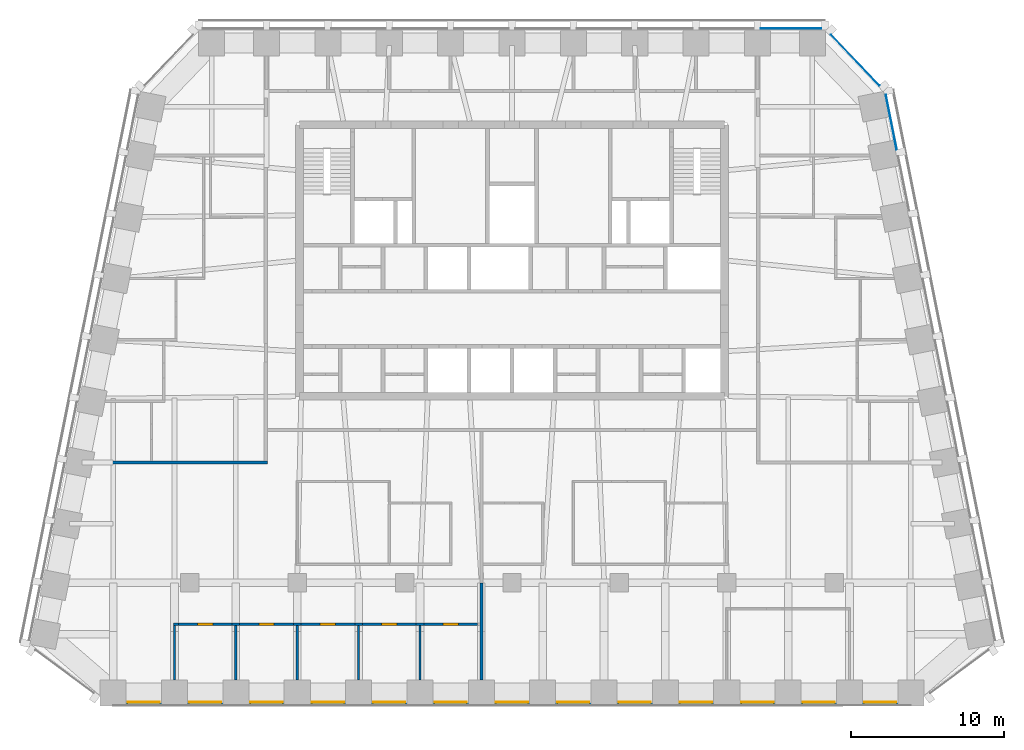
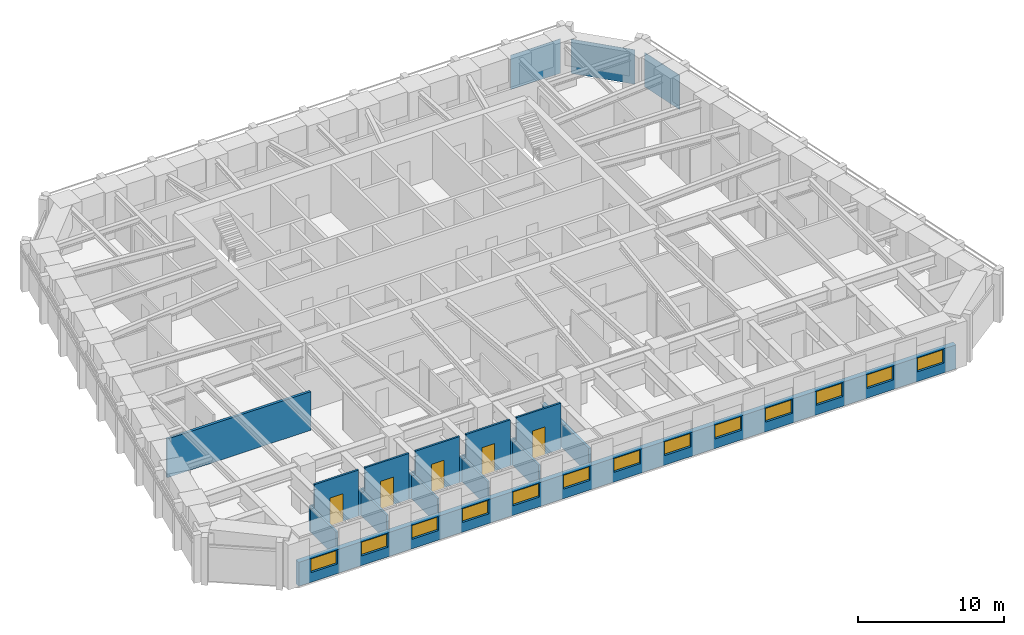
# One storey, part 5 of 11: 18 walls, 13 windows, 5 doors, 3 plates, 18 openings, 3 elements without a shape of their own.
"""IFC4 building model written with IfcOpenShell, lengths in metres."""

from ifc_helpers import new_model, si_unit, direction, frame, frame_2d, origin, origin_2d, place, context, subcontext, project, spatial, rectangle, extrude, material, layer, layer_set, type_object, element, fill, aggregate, save


model = new_model("IFC4")

# Units and contexts
model_context = context("Model", 3, precision=1e-05, world=origin(), true_north=direction((0.0, 1.0)))
body_context = subcontext(model_context, "Body", "Model", "MODEL_VIEW")
ifc_project = project(units=[si_unit("LENGTHUNIT", "METRE"), si_unit("AREAUNIT", "SQUARE_METRE"), si_unit("VOLUMEUNIT", "CUBIC_METRE"), si_unit("PLANEANGLEUNIT", "RADIAN"), si_unit("MASSUNIT", "GRAM", prefix="KILO")], contexts=[model_context])

# Site, building, storey
site_placement = place(None, origin())
site = spatial("IfcSite", under=ifc_project, at=site_placement, CompositionType="ELEMENT")
building_placement = place(site_placement, origin())
building = spatial("IfcBuilding", under=site, at=building_placement, Name="Isbrekke Arena Tower", CompositionType="ELEMENT")
storey_placement = place(building_placement, frame((0.0, 0.0, 268.0)))
storey = spatial("IfcBuildingStorey", under=building, at=storey_placement, Name="L62", CompositionType="ELEMENT", Elevation=268.0)

# Curtain wall, plate
ifc_material_1 = material(Name="Glazed aluminium curtain wall", Category="aluminium")
curtain_wall_type = type_object("IfcCurtainWallType", Name="CWT TOWER CURTAIN WALL TOP ZONE", PredefinedType="USERDEFINED", material=ifc_material_1)
curtain_wall_1_placement = place(storey_placement, origin())
curtain_wall_1 = element("IfcCurtainWall", 1, at=curtain_wall_1_placement, inside=storey, type_object=curtain_wall_type, Name="CWT curtain wall L62-E", ObjectType="TOWER CURTAIN WALL TOP ZONE", PredefinedType="USERDEFINED")
ifc_material_2 = material(Name="Triple-glazed clear glass unit", Category="glass")
ifc_layer_1 = layer(ifc_material_2, 0.031982421875)
ifc_layer_set_1 = layer_set([ifc_layer_1], Name="CWT-P VISION PANEL")
plate_type = type_object("IfcPlateType", Name="CWT-P VISION PANEL", PredefinedType="CURTAIN_PANEL", material=ifc_layer_set_1)
plate_1_placement = place(storey_placement, frame((24.72265625, 24.0244140625, 0.02001953125), z_axis=(0.0, 0.0, 1.0), x_axis=(-0.196116135138, 0.980580675691, 0.0)))
plate_1 = element("IfcPlate", 2, at=plate_1_placement, type_object=plate_type, Name="CWT-P panel 9", PredefinedType="CURTAIN_PANEL", context=body_context, shape_type="SweptSolid", body=[
    extrude(rectangle(XDim=3.629150390625, YDim=0.031982421875, at=origin_2d()), origin(), (0.0, 0.0, 1.0), 2.8798828125),
])
aggregate(curtain_wall_1, [plate_1])

curtain_wall_2_placement = place(storey_placement, origin())
curtain_wall_2 = element("IfcCurtainWall", 3, at=curtain_wall_2_placement, inside=storey, type_object=curtain_wall_type, Name="CWT curtain wall L62-EN", ObjectType="TOWER CURTAIN WALL TOP ZONE", PredefinedType="USERDEFINED")
plate_2_placement = place(storey_placement, frame((22.374755859375, 28.06640625, 0.02001953125), z_axis=(0.0, 0.0, 1.0), x_axis=(-0.68874946192, 0.72499943359, 0.0)))
plate_2 = element("IfcPlate", 4, at=plate_2_placement, type_object=plate_type, Name="CWT-P panel 1", PredefinedType="CURTAIN_PANEL", context=body_context, shape_type="SweptSolid", body=[
    extrude(rectangle(XDim=4.558349609375, YDim=0.031982421875, at=origin_2d()), origin(), (0.0, 0.0, 1.0), 2.8798828125),
])
aggregate(curtain_wall_2, [plate_2])

curtain_wall_3_placement = place(storey_placement, origin())
curtain_wall_3 = element("IfcCurtainWall", 5, at=curtain_wall_3_placement, inside=storey, type_object=curtain_wall_type, Name="CWT curtain wall L62-N", ObjectType="TOWER CURTAIN WALL TOP ZONE", PredefinedType="USERDEFINED")
plate_3_placement = place(storey_placement, frame((18.199951171875, 30.125, 0.02001953125), z_axis=(0.0, 0.0, 1.0), x_axis=(-1.0, 0.0, 0.0)))
plate_3 = element("IfcPlate", 6, at=plate_3_placement, type_object=plate_type, Name="CWT-P panel 1", PredefinedType="CURTAIN_PANEL", context=body_context, shape_type="SweptSolid", body=[
    extrude(rectangle(XDim=3.949951171875, YDim=0.031982421875, at=origin_2d()), origin(), (0.0, 0.0, 1.0), 2.8798828125),
])
aggregate(curtain_wall_3, [plate_3])

# Wall, openings, windows
ifc_material_3 = material(Name="Copper cladding on insulated framing", Category="metal")
ifc_layer_2 = layer(ifc_material_3, 0.39990234375)
ifc_layer_set_2 = layer_set([ifc_layer_2], Name="EW2 COPPER-CLAD WALL 400")
wall_type_1 = type_object("IfcWallType", Name="EW2 COPPER-CLAD WALL 400", PredefinedType="SOLIDWALL", material=ifc_layer_set_2)
wall_1_placement = place(storey_placement, frame((-26.0, -13.800048828125, 0.0), z_axis=(0.0, 0.0, 1.0), x_axis=(1.0, 0.0, 0.0)))
wall_1 = element("IfcWall", 7, at=wall_1_placement, inside=storey, type_object=wall_type_1, Name="EW2 terrace wall L62", PredefinedType="SOLIDWALL", context=body_context, shape_type="SweptSolid", body=[
    extrude(rectangle(XDim=52.0, YDim=0.39990234375, at=frame_2d((26.0, 0.0))), origin(), (0.0, 0.0, 1.0), 2.0),
])
opening_1_placement = place(wall_1_placement, frame((0.949951171875, 0.0, 0.800048828125)))
opening_1 = element("IfcOpeningElement", 8, at=opening_1_placement, cuts=wall_1, Name="Opening WN1", PredefinedType="OPENING", context=body_context, shape_type="SweptSolid", body=[
    extrude(rectangle(XDim=2.10009765625, YDim=1.14990234375, at=frame_2d((1.050048828125, 0.574951171875))), frame((0.0, 0.21484375, 0.0), z_axis=(0.0, -1.0, 0.0), x_axis=(1.0, 0.0, 0.0)), (0.0, 0.0, 1.0), 0.4296875),
])
opening_2_placement = place(wall_1_placement, frame((4.949951171875, 0.0, 0.800048828125)))
opening_2 = element("IfcOpeningElement", 9, at=opening_2_placement, cuts=wall_1, Name="Opening WN1", PredefinedType="OPENING", context=body_context, shape_type="SweptSolid", body=[
    extrude(rectangle(XDim=2.10009765625, YDim=1.14990234375, at=frame_2d((1.050048828125, 0.574951171875))), frame((0.0, 0.21484375, 0.0), z_axis=(0.0, -1.0, 0.0), x_axis=(1.0, 0.0, 0.0)), (0.0, 0.0, 1.0), 0.4296875),
])
opening_3_placement = place(wall_1_placement, frame((8.949951171875, 0.0, 0.800048828125)))
opening_3 = element("IfcOpeningElement", 10, at=opening_3_placement, cuts=wall_1, Name="Opening WN1", PredefinedType="OPENING", context=body_context, shape_type="SweptSolid", body=[
    extrude(rectangle(XDim=2.10009765625, YDim=1.14990234375, at=frame_2d((1.050048828125, 0.574951171875))), frame((0.0, 0.21484375, 0.0), z_axis=(0.0, -1.0, 0.0), x_axis=(1.0, 0.0, 0.0)), (0.0, 0.0, 1.0), 0.4296875),
])
opening_4_placement = place(wall_1_placement, frame((12.949951171875, 0.0, 0.800048828125)))
opening_4 = element("IfcOpeningElement", 11, at=opening_4_placement, cuts=wall_1, Name="Opening WN1", PredefinedType="OPENING", context=body_context, shape_type="SweptSolid", body=[
    extrude(rectangle(XDim=2.10009765625, YDim=1.14990234375, at=frame_2d((1.050048828125, 0.574951171875))), frame((0.0, 0.21484375, 0.0), z_axis=(0.0, -1.0, 0.0), x_axis=(1.0, 0.0, 0.0)), (0.0, 0.0, 1.0), 0.4296875),
])
opening_5_placement = place(wall_1_placement, frame((16.949951171875, 0.0, 0.800048828125)))
opening_5 = element("IfcOpeningElement", 12, at=opening_5_placement, cuts=wall_1, Name="Opening WN1", PredefinedType="OPENING", context=body_context, shape_type="SweptSolid", body=[
    extrude(rectangle(XDim=2.10009765625, YDim=1.14990234375, at=frame_2d((1.050048828125, 0.574951171875))), frame((0.0, 0.21484375, 0.0), z_axis=(0.0, -1.0, 0.0), x_axis=(1.0, 0.0, 0.0)), (0.0, 0.0, 1.0), 0.4296875),
])
opening_6_placement = place(wall_1_placement, frame((20.949951171875, 0.0, 0.800048828125)))
opening_6 = element("IfcOpeningElement", 13, at=opening_6_placement, cuts=wall_1, Name="Opening WN1", PredefinedType="OPENING", context=body_context, shape_type="SweptSolid", body=[
    extrude(rectangle(XDim=2.10009765625, YDim=1.14990234375, at=frame_2d((1.050048828125, 0.574951171875))), frame((0.0, 0.21484375, 0.0), z_axis=(0.0, -1.0, 0.0), x_axis=(1.0, 0.0, 0.0)), (0.0, 0.0, 1.0), 0.4296875),
])
opening_7_placement = place(wall_1_placement, frame((24.949951171875, 0.0, 0.800048828125)))
opening_7 = element("IfcOpeningElement", 14, at=opening_7_placement, cuts=wall_1, Name="Opening WN1", PredefinedType="OPENING", context=body_context, shape_type="SweptSolid", body=[
    extrude(rectangle(XDim=2.10009765625, YDim=1.14990234375, at=frame_2d((1.050048828125, 0.574951171875))), frame((0.0, 0.21484375, 0.0), z_axis=(0.0, -1.0, 0.0), x_axis=(1.0, 0.0, 0.0)), (0.0, 0.0, 1.0), 0.4296875),
])
opening_8_placement = place(wall_1_placement, frame((28.949951171875, 0.0, 0.800048828125)))
opening_8 = element("IfcOpeningElement", 15, at=opening_8_placement, cuts=wall_1, Name="Opening WN1", PredefinedType="OPENING", context=body_context, shape_type="SweptSolid", body=[
    extrude(rectangle(XDim=2.10009765625, YDim=1.14990234375, at=frame_2d((1.050048828125, 0.574951171875))), frame((0.0, 0.21484375, 0.0), z_axis=(0.0, -1.0, 0.0), x_axis=(1.0, 0.0, 0.0)), (0.0, 0.0, 1.0), 0.4296875),
])
opening_9_placement = place(wall_1_placement, frame((32.949951171875, 0.0, 0.800048828125)))
opening_9 = element("IfcOpeningElement", 16, at=opening_9_placement, cuts=wall_1, Name="Opening WN1", PredefinedType="OPENING", context=body_context, shape_type="SweptSolid", body=[
    extrude(rectangle(XDim=2.10009765625, YDim=1.14990234375, at=frame_2d((1.050048828125, 0.574951171875))), frame((0.0, 0.21484375, 0.0), z_axis=(0.0, -1.0, 0.0), x_axis=(1.0, 0.0, 0.0)), (0.0, 0.0, 1.0), 0.4296875),
])
opening_10_placement = place(wall_1_placement, frame((36.949951171875, 0.0, 0.800048828125)))
opening_10 = element("IfcOpeningElement", 17, at=opening_10_placement, cuts=wall_1, Name="Opening WN1", PredefinedType="OPENING", context=body_context, shape_type="SweptSolid", body=[
    extrude(rectangle(XDim=2.10009765625, YDim=1.14990234375, at=frame_2d((1.050048828125, 0.574951171875))), frame((0.0, 0.21484375, 0.0), z_axis=(0.0, -1.0, 0.0), x_axis=(1.0, 0.0, 0.0)), (0.0, 0.0, 1.0), 0.4296875),
])
opening_11_placement = place(wall_1_placement, frame((40.949951171875, 0.0, 0.800048828125)))
opening_11 = element("IfcOpeningElement", 18, at=opening_11_placement, cuts=wall_1, Name="Opening WN1", PredefinedType="OPENING", context=body_context, shape_type="SweptSolid", body=[
    extrude(rectangle(XDim=2.10009765625, YDim=1.14990234375, at=frame_2d((1.050048828125, 0.574951171875))), frame((0.0, 0.21484375, 0.0), z_axis=(0.0, -1.0, 0.0), x_axis=(1.0, 0.0, 0.0)), (0.0, 0.0, 1.0), 0.4296875),
])
opening_12_placement = place(wall_1_placement, frame((44.949951171875, 0.0, 0.800048828125)))
opening_12 = element("IfcOpeningElement", 19, at=opening_12_placement, cuts=wall_1, Name="Opening WN1", PredefinedType="OPENING", context=body_context, shape_type="SweptSolid", body=[
    extrude(rectangle(XDim=2.10009765625, YDim=1.14990234375, at=frame_2d((1.050048828125, 0.574951171875))), frame((0.0, 0.21484375, 0.0), z_axis=(0.0, -1.0, 0.0), x_axis=(1.0, 0.0, 0.0)), (0.0, 0.0, 1.0), 0.4296875),
])
opening_13_placement = place(wall_1_placement, frame((48.949951171875, 0.0, 0.800048828125)))
opening_13 = element("IfcOpeningElement", 20, at=opening_13_placement, cuts=wall_1, Name="Opening WN1", PredefinedType="OPENING", context=body_context, shape_type="SweptSolid", body=[
    extrude(rectangle(XDim=2.10009765625, YDim=1.14990234375, at=frame_2d((1.050048828125, 0.574951171875))), frame((0.0, 0.21484375, 0.0), z_axis=(0.0, -1.0, 0.0), x_axis=(1.0, 0.0, 0.0)), (0.0, 0.0, 1.0), 0.4296875),
])
ifc_material_4 = material(Name="Timber-aluminium window, triple glazed", Category="wood")
window_type = type_object("IfcWindowType", Name="WN1 TERRACE WINDOW 2100 x 1150", PartitioningType="SINGLE_PANEL", PredefinedType="WINDOW", material=ifc_material_4)
window_1_placement = place(opening_1_placement, origin())
window_1 = element("IfcWindow", 21, at=window_1_placement, inside=storey, type_object=window_type, Name="WN1 terrace window L62-1", OverallHeight=1.14990234375, OverallWidth=2.10009765625, PartitioningType="SINGLE_PANEL", PredefinedType="WINDOW", context=body_context, shape_type="SweptSolid", body=[
    extrude(rectangle(XDim=2.10009765625, YDim=1.14990234375, at=frame_2d((1.050048828125, 0.574951171875))), frame((0.0, 0.030029296875, 0.0), z_axis=(0.0, -1.0, 0.0), x_axis=(1.0, 0.0, 0.0)), (0.0, 0.0, 1.0), 0.06005859375),
])
fill(opening_1, window_1)
window_2_placement = place(opening_2_placement, origin())
window_2 = element("IfcWindow", 22, at=window_2_placement, inside=storey, type_object=window_type, Name="WN1 terrace window L62-2", OverallHeight=1.14990234375, OverallWidth=2.10009765625, PartitioningType="SINGLE_PANEL", PredefinedType="WINDOW", context=body_context, shape_type="SweptSolid", body=[
    extrude(rectangle(XDim=2.10009765625, YDim=1.14990234375, at=frame_2d((1.050048828125, 0.574951171875))), frame((0.0, 0.030029296875, 0.0), z_axis=(0.0, -1.0, 0.0), x_axis=(1.0, 0.0, 0.0)), (0.0, 0.0, 1.0), 0.06005859375),
])
fill(opening_2, window_2)
window_3_placement = place(opening_3_placement, origin())
window_3 = element("IfcWindow", 23, at=window_3_placement, inside=storey, type_object=window_type, Name="WN1 terrace window L62-3", OverallHeight=1.14990234375, OverallWidth=2.10009765625, PartitioningType="SINGLE_PANEL", PredefinedType="WINDOW", context=body_context, shape_type="SweptSolid", body=[
    extrude(rectangle(XDim=2.10009765625, YDim=1.14990234375, at=frame_2d((1.050048828125, 0.574951171875))), frame((0.0, 0.030029296875, 0.0), z_axis=(0.0, -1.0, 0.0), x_axis=(1.0, 0.0, 0.0)), (0.0, 0.0, 1.0), 0.06005859375),
])
fill(opening_3, window_3)
window_4_placement = place(opening_4_placement, origin())
window_4 = element("IfcWindow", 24, at=window_4_placement, inside=storey, type_object=window_type, Name="WN1 terrace window L62-4", OverallHeight=1.14990234375, OverallWidth=2.10009765625, PartitioningType="SINGLE_PANEL", PredefinedType="WINDOW", context=body_context, shape_type="SweptSolid", body=[
    extrude(rectangle(XDim=2.10009765625, YDim=1.14990234375, at=frame_2d((1.050048828125, 0.574951171875))), frame((0.0, 0.030029296875, 0.0), z_axis=(0.0, -1.0, 0.0), x_axis=(1.0, 0.0, 0.0)), (0.0, 0.0, 1.0), 0.06005859375),
])
fill(opening_4, window_4)
window_5_placement = place(opening_5_placement, origin())
window_5 = element("IfcWindow", 25, at=window_5_placement, inside=storey, type_object=window_type, Name="WN1 terrace window L62-5", OverallHeight=1.14990234375, OverallWidth=2.10009765625, PartitioningType="SINGLE_PANEL", PredefinedType="WINDOW", context=body_context, shape_type="SweptSolid", body=[
    extrude(rectangle(XDim=2.10009765625, YDim=1.14990234375, at=frame_2d((1.050048828125, 0.574951171875))), frame((0.0, 0.030029296875, 0.0), z_axis=(0.0, -1.0, 0.0), x_axis=(1.0, 0.0, 0.0)), (0.0, 0.0, 1.0), 0.06005859375),
])
fill(opening_5, window_5)
window_6_placement = place(opening_6_placement, origin())
window_6 = element("IfcWindow", 26, at=window_6_placement, inside=storey, type_object=window_type, Name="WN1 terrace window L62-6", OverallHeight=1.14990234375, OverallWidth=2.10009765625, PartitioningType="SINGLE_PANEL", PredefinedType="WINDOW", context=body_context, shape_type="SweptSolid", body=[
    extrude(rectangle(XDim=2.10009765625, YDim=1.14990234375, at=frame_2d((1.050048828125, 0.574951171875))), frame((0.0, 0.030029296875, 0.0), z_axis=(0.0, -1.0, 0.0), x_axis=(1.0, 0.0, 0.0)), (0.0, 0.0, 1.0), 0.06005859375),
])
fill(opening_6, window_6)
window_7_placement = place(opening_7_placement, origin())
window_7 = element("IfcWindow", 27, at=window_7_placement, inside=storey, type_object=window_type, Name="WN1 terrace window L62-7", OverallHeight=1.14990234375, OverallWidth=2.10009765625, PartitioningType="SINGLE_PANEL", PredefinedType="WINDOW", context=body_context, shape_type="SweptSolid", body=[
    extrude(rectangle(XDim=2.10009765625, YDim=1.14990234375, at=frame_2d((1.050048828125, 0.574951171875))), frame((0.0, 0.030029296875, 0.0), z_axis=(0.0, -1.0, 0.0), x_axis=(1.0, 0.0, 0.0)), (0.0, 0.0, 1.0), 0.06005859375),
])
fill(opening_7, window_7)
window_8_placement = place(opening_8_placement, origin())
window_8 = element("IfcWindow", 28, at=window_8_placement, inside=storey, type_object=window_type, Name="WN1 terrace window L62-8", OverallHeight=1.14990234375, OverallWidth=2.10009765625, PartitioningType="SINGLE_PANEL", PredefinedType="WINDOW", context=body_context, shape_type="SweptSolid", body=[
    extrude(rectangle(XDim=2.10009765625, YDim=1.14990234375, at=frame_2d((1.050048828125, 0.574951171875))), frame((0.0, 0.030029296875, 0.0), z_axis=(0.0, -1.0, 0.0), x_axis=(1.0, 0.0, 0.0)), (0.0, 0.0, 1.0), 0.06005859375),
])
fill(opening_8, window_8)
window_9_placement = place(opening_9_placement, origin())
window_9 = element("IfcWindow", 29, at=window_9_placement, inside=storey, type_object=window_type, Name="WN1 terrace window L62-9", OverallHeight=1.14990234375, OverallWidth=2.10009765625, PartitioningType="SINGLE_PANEL", PredefinedType="WINDOW", context=body_context, shape_type="SweptSolid", body=[
    extrude(rectangle(XDim=2.10009765625, YDim=1.14990234375, at=frame_2d((1.050048828125, 0.574951171875))), frame((0.0, 0.030029296875, 0.0), z_axis=(0.0, -1.0, 0.0), x_axis=(1.0, 0.0, 0.0)), (0.0, 0.0, 1.0), 0.06005859375),
])
fill(opening_9, window_9)
window_10_placement = place(opening_10_placement, origin())
window_10 = element("IfcWindow", 30, at=window_10_placement, inside=storey, type_object=window_type, Name="WN1 terrace window L62-10", OverallHeight=1.14990234375, OverallWidth=2.10009765625, PartitioningType="SINGLE_PANEL", PredefinedType="WINDOW", context=body_context, shape_type="SweptSolid", body=[
    extrude(rectangle(XDim=2.10009765625, YDim=1.14990234375, at=frame_2d((1.050048828125, 0.574951171875))), frame((0.0, 0.030029296875, 0.0), z_axis=(0.0, -1.0, 0.0), x_axis=(1.0, 0.0, 0.0)), (0.0, 0.0, 1.0), 0.06005859375),
])
fill(opening_10, window_10)
window_11_placement = place(opening_11_placement, origin())
window_11 = element("IfcWindow", 31, at=window_11_placement, inside=storey, type_object=window_type, Name="WN1 terrace window L62-11", OverallHeight=1.14990234375, OverallWidth=2.10009765625, PartitioningType="SINGLE_PANEL", PredefinedType="WINDOW", context=body_context, shape_type="SweptSolid", body=[
    extrude(rectangle(XDim=2.10009765625, YDim=1.14990234375, at=frame_2d((1.050048828125, 0.574951171875))), frame((0.0, 0.030029296875, 0.0), z_axis=(0.0, -1.0, 0.0), x_axis=(1.0, 0.0, 0.0)), (0.0, 0.0, 1.0), 0.06005859375),
])
fill(opening_11, window_11)
window_12_placement = place(opening_12_placement, origin())
window_12 = element("IfcWindow", 32, at=window_12_placement, inside=storey, type_object=window_type, Name="WN1 terrace window L62-12", OverallHeight=1.14990234375, OverallWidth=2.10009765625, PartitioningType="SINGLE_PANEL", PredefinedType="WINDOW", context=body_context, shape_type="SweptSolid", body=[
    extrude(rectangle(XDim=2.10009765625, YDim=1.14990234375, at=frame_2d((1.050048828125, 0.574951171875))), frame((0.0, 0.030029296875, 0.0), z_axis=(0.0, -1.0, 0.0), x_axis=(1.0, 0.0, 0.0)), (0.0, 0.0, 1.0), 0.06005859375),
])
fill(opening_12, window_12)
window_13_placement = place(opening_13_placement, origin())
window_13 = element("IfcWindow", 33, at=window_13_placement, inside=storey, type_object=window_type, Name="WN1 terrace window L62-13", OverallHeight=1.14990234375, OverallWidth=2.10009765625, PartitioningType="SINGLE_PANEL", PredefinedType="WINDOW", context=body_context, shape_type="SweptSolid", body=[
    extrude(rectangle(XDim=2.10009765625, YDim=1.14990234375, at=frame_2d((1.050048828125, 0.574951171875))), frame((0.0, 0.030029296875, 0.0), z_axis=(0.0, -1.0, 0.0), x_axis=(1.0, 0.0, 0.0)), (0.0, 0.0, 1.0), 0.06005859375),
])
fill(opening_13, window_13)

# Wall
ifc_material_5 = material(Name="Gypsum board partition on steel studs", Category="steel")
ifc_layer_3 = layer(ifc_material_5, 0.14990234375)
ifc_layer_set_3 = layer_set([ifc_layer_3], Name="IW1 PARTITION 150")
wall_type_2 = type_object("IfcWallType", Name="IW1 PARTITION 150", PredefinedType="PARTITIONING", material=ifc_layer_set_3)
wall_2_placement = place(storey_placement, frame((-22.074951171875, -8.699951171875, 0.0), z_axis=(0.0, 0.0, 1.0), x_axis=(1.0, 0.0, 0.0)))
element("IfcWall", 34, at=wall_2_placement, inside=storey, type_object=wall_type_2, Name="IW1 partition 150 L62", PredefinedType="PARTITIONING", context=body_context, shape_type="SweptSolid", body=[
    extrude(rectangle(XDim=0.324951171875, YDim=0.14990234375, at=frame_2d((0.16259765625, 0.0))), origin(), (0.0, 0.0, 1.0), 2.14990234375),
])

# Wall, opening, door
wall_3_placement = place(storey_placement, frame((-21.75, -8.699951171875, 0.0), z_axis=(0.0, 0.0, 1.0), x_axis=(1.0, 0.0, 0.0)))
wall_3 = element("IfcWall", 35, at=wall_3_placement, inside=storey, type_object=wall_type_2, Name="IW1 partition 150 L62", PredefinedType="PARTITIONING", context=body_context, shape_type="SweptSolid", body=[
    extrude(rectangle(XDim=3.5, YDim=0.14990234375, at=frame_2d((1.75, 0.0))), origin(), (0.0, 0.0, 1.0), 3.85009765625),
])
opening_14_placement = place(wall_3_placement, frame((1.25, 0.0, 0.0)))
opening_14 = element("IfcOpeningElement", 36, at=opening_14_placement, cuts=wall_3, Name="Opening D10", PredefinedType="OPENING", context=body_context, shape_type="SweptSolid", body=[
    extrude(rectangle(XDim=1.0, YDim=2.300048828125, at=frame_2d((0.5, 1.14990234375))), frame((0.0, 0.08984375, 0.0), z_axis=(0.0, -1.0, 0.0), x_axis=(1.0, 0.0, 0.0)), (0.0, 0.0, 1.0), 0.1796875),
])
ifc_material_6 = material(Name="Timber door", Category="wood")
door_type = type_object("IfcDoorType", Name="D10 OFFICE DOOR 1000 x 2300", OperationType="SINGLE_SWING_LEFT", PredefinedType="DOOR", material=ifc_material_6)
door_1_placement = place(opening_14_placement, origin())
door_1 = element("IfcDoor", 37, at=door_1_placement, inside=storey, type_object=door_type, Name="D10 office door L62", OperationType="SINGLE_SWING_LEFT", OverallHeight=2.300048828125, OverallWidth=1.0, PredefinedType="DOOR", context=body_context, shape_type="SweptSolid", body=[
    extrude(rectangle(XDim=1.0, YDim=2.300048828125, at=frame_2d((0.5, 1.14990234375))), frame((0.0, 0.07470703125, 0.0), z_axis=(0.0, -1.0, 0.0), x_axis=(1.0, 0.0, 0.0)), (0.0, 0.0, 1.0), 0.1494140625),
])
fill(opening_14, door_1)

# Wall
wall_4_placement = place(storey_placement, frame((-18.25, -8.699951171875, 0.0), z_axis=(0.0, 0.0, 1.0), x_axis=(1.0, 0.0, 0.0)))
element("IfcWall", 38, at=wall_4_placement, inside=storey, type_object=wall_type_2, Name="IW1 partition 150 L62", PredefinedType="PARTITIONING", context=body_context, shape_type="SweptSolid", body=[
    extrude(rectangle(XDim=0.5, YDim=0.14990234375, at=frame_2d((0.25, 0.0))), origin(), (0.0, 0.0, 1.0), 2.14990234375),
])

# Wall, opening, door
wall_5_placement = place(storey_placement, frame((-17.75, -8.699951171875, 0.0), z_axis=(0.0, 0.0, 1.0), x_axis=(1.0, 0.0, 0.0)))
wall_5 = element("IfcWall", 39, at=wall_5_placement, inside=storey, type_object=wall_type_2, Name="IW1 partition 150 L62", PredefinedType="PARTITIONING", context=body_context, shape_type="SweptSolid", body=[
    extrude(rectangle(XDim=3.5, YDim=0.14990234375, at=frame_2d((1.75, 0.0))), origin(), (0.0, 0.0, 1.0), 3.85009765625),
])
opening_15_placement = place(wall_5_placement, frame((1.25, 0.0, 0.0)))
opening_15 = element("IfcOpeningElement", 40, at=opening_15_placement, cuts=wall_5, Name="Opening D10", PredefinedType="OPENING", context=body_context, shape_type="SweptSolid", body=[
    extrude(rectangle(XDim=1.0, YDim=2.300048828125, at=frame_2d((0.5, 1.14990234375))), frame((0.0, 0.08984375, 0.0), z_axis=(0.0, -1.0, 0.0), x_axis=(1.0, 0.0, 0.0)), (0.0, 0.0, 1.0), 0.1796875),
])
door_2_placement = place(opening_15_placement, origin())
door_2 = element("IfcDoor", 41, at=door_2_placement, inside=storey, type_object=door_type, Name="D10 office door L62", OperationType="SINGLE_SWING_LEFT", OverallHeight=2.300048828125, OverallWidth=1.0, PredefinedType="DOOR", context=body_context, shape_type="SweptSolid", body=[
    extrude(rectangle(XDim=1.0, YDim=2.300048828125, at=frame_2d((0.5, 1.14990234375))), frame((0.0, 0.07470703125, 0.0), z_axis=(0.0, -1.0, 0.0), x_axis=(1.0, 0.0, 0.0)), (0.0, 0.0, 1.0), 0.1494140625),
])
fill(opening_15, door_2)

# Wall
wall_6_placement = place(storey_placement, frame((-14.25, -8.699951171875, 0.0), z_axis=(0.0, 0.0, 1.0), x_axis=(1.0, 0.0, 0.0)))
element("IfcWall", 42, at=wall_6_placement, inside=storey, type_object=wall_type_2, Name="IW1 partition 150 L62", PredefinedType="PARTITIONING", context=body_context, shape_type="SweptSolid", body=[
    extrude(rectangle(XDim=0.5, YDim=0.14990234375, at=frame_2d((0.25, 0.0))), origin(), (0.0, 0.0, 1.0), 2.14990234375),
])

# Wall, opening, door
wall_7_placement = place(storey_placement, frame((-13.75, -8.699951171875, 0.0), z_axis=(0.0, 0.0, 1.0), x_axis=(1.0, 0.0, 0.0)))
wall_7 = element("IfcWall", 43, at=wall_7_placement, inside=storey, type_object=wall_type_2, Name="IW1 partition 150 L62", PredefinedType="PARTITIONING", context=body_context, shape_type="SweptSolid", body=[
    extrude(rectangle(XDim=3.5, YDim=0.14990234375, at=frame_2d((1.75, 0.0))), origin(), (0.0, 0.0, 1.0), 3.85009765625),
])
opening_16_placement = place(wall_7_placement, frame((1.25, 0.0, 0.0)))
opening_16 = element("IfcOpeningElement", 44, at=opening_16_placement, cuts=wall_7, Name="Opening D10", PredefinedType="OPENING", context=body_context, shape_type="SweptSolid", body=[
    extrude(rectangle(XDim=1.0, YDim=2.300048828125, at=frame_2d((0.5, 1.14990234375))), frame((0.0, 0.08984375, 0.0), z_axis=(0.0, -1.0, 0.0), x_axis=(1.0, 0.0, 0.0)), (0.0, 0.0, 1.0), 0.1796875),
])
door_3_placement = place(opening_16_placement, origin())
door_3 = element("IfcDoor", 45, at=door_3_placement, inside=storey, type_object=door_type, Name="D10 office door L62", OperationType="SINGLE_SWING_LEFT", OverallHeight=2.300048828125, OverallWidth=1.0, PredefinedType="DOOR", context=body_context, shape_type="SweptSolid", body=[
    extrude(rectangle(XDim=1.0, YDim=2.300048828125, at=frame_2d((0.5, 1.14990234375))), frame((0.0, 0.07470703125, 0.0), z_axis=(0.0, -1.0, 0.0), x_axis=(1.0, 0.0, 0.0)), (0.0, 0.0, 1.0), 0.1494140625),
])
fill(opening_16, door_3)

# Wall
wall_8_placement = place(storey_placement, frame((-10.25, -8.699951171875, 0.0), z_axis=(0.0, 0.0, 1.0), x_axis=(1.0, 0.0, 0.0)))
element("IfcWall", 46, at=wall_8_placement, inside=storey, type_object=wall_type_2, Name="IW1 partition 150 L62", PredefinedType="PARTITIONING", context=body_context, shape_type="SweptSolid", body=[
    extrude(rectangle(XDim=0.5, YDim=0.14990234375, at=frame_2d((0.25, 0.0))), origin(), (0.0, 0.0, 1.0), 2.14990234375),
])

# Wall, opening, door
wall_9_placement = place(storey_placement, frame((-9.75, -8.699951171875, 0.0), z_axis=(0.0, 0.0, 1.0), x_axis=(1.0, 0.0, 0.0)))
wall_9 = element("IfcWall", 47, at=wall_9_placement, inside=storey, type_object=wall_type_2, Name="IW1 partition 150 L62", PredefinedType="PARTITIONING", context=body_context, shape_type="SweptSolid", body=[
    extrude(rectangle(XDim=3.5, YDim=0.14990234375, at=frame_2d((1.75, 0.0))), origin(), (0.0, 0.0, 1.0), 3.85009765625),
])
opening_17_placement = place(wall_9_placement, frame((1.25, 0.0, 0.0)))
opening_17 = element("IfcOpeningElement", 48, at=opening_17_placement, cuts=wall_9, Name="Opening D10", PredefinedType="OPENING", context=body_context, shape_type="SweptSolid", body=[
    extrude(rectangle(XDim=1.0, YDim=2.300048828125, at=frame_2d((0.5, 1.14990234375))), frame((0.0, 0.08984375, 0.0), z_axis=(0.0, -1.0, 0.0), x_axis=(1.0, 0.0, 0.0)), (0.0, 0.0, 1.0), 0.1796875),
])
door_4_placement = place(opening_17_placement, origin())
door_4 = element("IfcDoor", 49, at=door_4_placement, inside=storey, type_object=door_type, Name="D10 office door L62", OperationType="SINGLE_SWING_LEFT", OverallHeight=2.300048828125, OverallWidth=1.0, PredefinedType="DOOR", context=body_context, shape_type="SweptSolid", body=[
    extrude(rectangle(XDim=1.0, YDim=2.300048828125, at=frame_2d((0.5, 1.14990234375))), frame((0.0, 0.07470703125, 0.0), z_axis=(0.0, -1.0, 0.0), x_axis=(1.0, 0.0, 0.0)), (0.0, 0.0, 1.0), 0.1494140625),
])
fill(opening_17, door_4)

# Wall
wall_10_placement = place(storey_placement, frame((-6.25, -8.699951171875, 0.0), z_axis=(0.0, 0.0, 1.0), x_axis=(1.0, 0.0, 0.0)))
element("IfcWall", 50, at=wall_10_placement, inside=storey, type_object=wall_type_2, Name="IW1 partition 150 L62", PredefinedType="PARTITIONING", context=body_context, shape_type="SweptSolid", body=[
    extrude(rectangle(XDim=0.5, YDim=0.14990234375, at=frame_2d((0.25, 0.0))), origin(), (0.0, 0.0, 1.0), 2.14990234375),
])

# Wall, opening, door
wall_11_placement = place(storey_placement, frame((-5.75, -8.699951171875, 0.0), z_axis=(0.0, 0.0, 1.0), x_axis=(1.0, 0.0, 0.0)))
wall_11 = element("IfcWall", 51, at=wall_11_placement, inside=storey, type_object=wall_type_2, Name="IW1 partition 150 L62", PredefinedType="PARTITIONING", context=body_context, shape_type="SweptSolid", body=[
    extrude(rectangle(XDim=3.5, YDim=0.14990234375, at=frame_2d((1.75, 0.0))), origin(), (0.0, 0.0, 1.0), 3.85009765625),
])
opening_18_placement = place(wall_11_placement, frame((1.25, 0.0, 0.0)))
opening_18 = element("IfcOpeningElement", 52, at=opening_18_placement, cuts=wall_11, Name="Opening D10", PredefinedType="OPENING", context=body_context, shape_type="SweptSolid", body=[
    extrude(rectangle(XDim=1.0, YDim=2.300048828125, at=frame_2d((0.5, 1.14990234375))), frame((0.0, 0.08984375, 0.0), z_axis=(0.0, -1.0, 0.0), x_axis=(1.0, 0.0, 0.0)), (0.0, 0.0, 1.0), 0.1796875),
])
door_5_placement = place(opening_18_placement, origin())
door_5 = element("IfcDoor", 53, at=door_5_placement, inside=storey, type_object=door_type, Name="D10 office door L62", OperationType="SINGLE_SWING_LEFT", OverallHeight=2.300048828125, OverallWidth=1.0, PredefinedType="DOOR", context=body_context, shape_type="SweptSolid", body=[
    extrude(rectangle(XDim=1.0, YDim=2.300048828125, at=frame_2d((0.5, 1.14990234375))), frame((0.0, 0.07470703125, 0.0), z_axis=(0.0, -1.0, 0.0), x_axis=(1.0, 0.0, 0.0)), (0.0, 0.0, 1.0), 0.1494140625),
])
fill(opening_18, door_5)

# Walls
for number, where, z_axis, x_axis, name in (
    (54, (-22.0, -12.324951171875, 0.0), (0.0, 0.0, 1.0), (0.0, 1.0, 0.0), "IW1 partition 150 L62"),
    (55, (-18.0, -12.324951171875, 0.0), (0.0, 0.0, 1.0), (0.0, 1.0, 0.0), "IW1 partition 150 L62"),
    (56, (-14.0, -12.324951171875, 0.0), (0.0, 0.0, 1.0), (0.0, 1.0, 0.0), "IW1 partition 150 L62"),
    (57, (-10.0, -12.324951171875, 0.0), (0.0, 0.0, 1.0), (0.0, 1.0, 0.0), "IW1 partition 150 L62"),
    (58, (-6.0, -12.324951171875, 0.0), (0.0, 0.0, 1.0), (0.0, 1.0, 0.0), "IW1 partition 150 L62"),
):
    element("IfcWall", number, at=place(storey_placement, frame(where, z_axis=z_axis, x_axis=x_axis)), inside=storey, type_object=wall_type_2, Name=name, PredefinedType="PARTITIONING", context=body_context, shape_type="SweptSolid", body=[
        extrude(rectangle(XDim=3.550048828125, YDim=0.14990234375, at=frame_2d((1.77490234375, 0.0))), origin(), (0.0, 0.0, 1.0), 2.14990234375),
    ])
ifc_material_7 = material(Name="Gypsum board fire-cell wall on steel studs, two layers each side", Category="steel")
ifc_layer_4 = layer(ifc_material_7, 0.199951171875)
ifc_layer_set_4 = layer_set([ifc_layer_4], Name="IW3 FIRE-CELL WALL 200")
wall_type_3 = type_object("IfcWallType", Name="IW3 FIRE-CELL WALL 200", PredefinedType="PARTITIONING", material=ifc_layer_set_4)
wall_12_placement = place(storey_placement, frame((-27.32373046875, 1.840087890625, 0.0), z_axis=(0.0, 0.0, 1.0), x_axis=(1.0, 0.0, 0.0)))
element("IfcWall", 59, at=wall_12_placement, inside=storey, type_object=wall_type_3, Name="IW3 fire-cell wall 200 L62", PredefinedType="PARTITIONING", context=body_context, shape_type="SweptSolid", body=[
    extrude(rectangle(XDim=11.373779296875, YDim=0.199951171875, at=frame_2d((5.68701171875, 0.0))), origin(), (0.0, 0.0, 1.0), 3.22998046875),
])
wall_13_placement = place(storey_placement, frame((-2.0, -12.324951171875, 0.0), z_axis=(0.0, 0.0, 1.0), x_axis=(0.0, 1.0, 0.0)))
element("IfcWall", 60, at=wall_13_placement, inside=storey, type_object=wall_type_3, Name="IW3 fire-cell wall 200 L62", PredefinedType="PARTITIONING", context=body_context, shape_type="SweptSolid", body=[
    extrude(rectangle(XDim=6.324951171875, YDim=0.199951171875, at=frame_2d((3.16259765625, 0.0))), origin(), (0.0, 0.0, 1.0), 2.14990234375),
])

save(model, "model.ifc")
